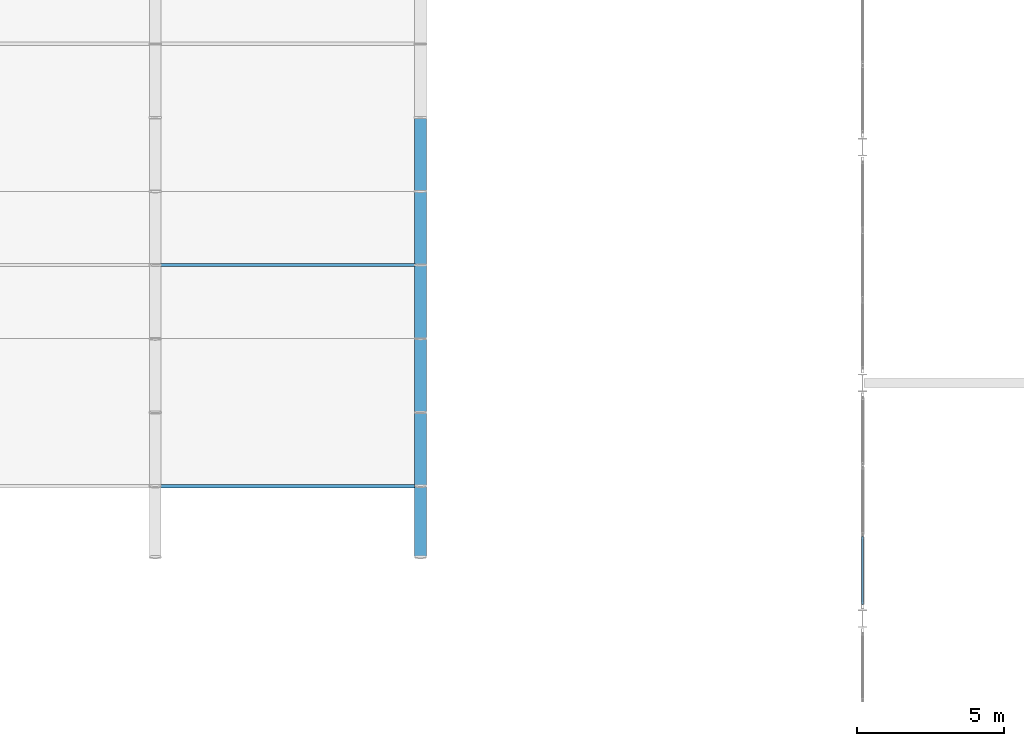
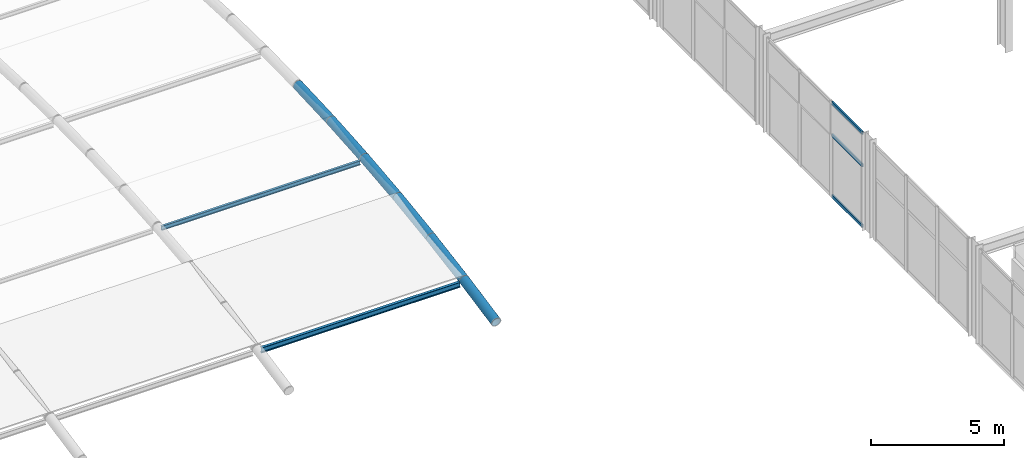
# One storey, part 23 of 105: 11 members, 1 element without a shape of its own.
"""IFC4 building model written with IfcOpenShell, lengths in metres."""

from ifc_helpers import new_model, si_unit, direction, frame, origin, origin_2d, place, context, subcontext, project, spatial, hollow_rectangle, hollow_circle, i_section, extrude, material, layer, layer_set, material_profile, profile_set, type_object, element, aggregate, save


model = new_model("IFC4")

# Units and contexts
model_context = context("Model", 3, precision=1e-05, world=origin(), true_north=direction((0.0, 1.0)))
body_context = subcontext(model_context, "Body", "Model", "MODEL_VIEW")
ifc_project = project(units=[si_unit("LENGTHUNIT", "METRE"), si_unit("AREAUNIT", "SQUARE_METRE"), si_unit("VOLUMEUNIT", "CUBIC_METRE"), si_unit("PLANEANGLEUNIT", "RADIAN"), si_unit("MASSUNIT", "GRAM", prefix="KILO")], contexts=[model_context])

# Site, building, storey
site_placement = place(None, origin())
site = spatial("IfcSite", under=ifc_project, at=site_placement, CompositionType="ELEMENT")
building_placement = place(site_placement, origin())
building = spatial("IfcBuilding", under=site, at=building_placement, Name="Marlcrest Central Station", CompositionType="ELEMENT")
storey_placement = place(building_placement, frame((0.0, 0.0, 15.0)))
storey = spatial("IfcBuildingStorey", under=building, at=storey_placement, Name="L03", CompositionType="ELEMENT", Elevation=15.0)

# Members
ifc_material_1 = material(Name="Steel S355", Category="steel")
ifc_material_profile_1 = material_profile(ifc_material_1, hollow_circle(Radius=0.203125, WallThickness=0.02001953125, at=origin_2d()), Name="CHS 406.4x20")
ifc_profile_set_1 = profile_set([ifc_material_profile_1], Name="Steel S355")
member_type_1 = type_object("IfcMemberType", Name="AC-01", PredefinedType="CHORD", material=ifc_profile_set_1)
member_1_placement = place(storey_placement, frame((72.0, 48.580078125, -0.0830078125), z_axis=(0.0, 0.980359417961, 0.197219196874), x_axis=(-1.0, 0.0, 0.0)))
element("IfcMember", 1, at=member_1_placement, inside=storey, type_object=member_type_1, Name="mem-AC-01-L03-01011", PredefinedType="CHORD", context=body_context, shape_type="SweptSolid", body=[
    extrude(hollow_circle(Radius=0.203125, WallThickness=0.02001953125, at=origin_2d()), origin(), (0.0, 0.0, 1.0), 2.468505859375),
])
member_2_placement = place(storey_placement, frame((72.0, 51.0, 0.40380859375), z_axis=(0.0, 0.98574109921, 0.168269086076), x_axis=(-1.0, 0.0, 0.0)))
element("IfcMember", 2, at=member_2_placement, inside=storey, type_object=member_type_1, Name="mem-AC-01-L03-01015", PredefinedType="CHORD", context=body_context, shape_type="SweptSolid", body=[
    extrude(hollow_circle(Radius=0.203125, WallThickness=0.02001953125, at=origin_2d()), origin(), (0.0, 0.0, 1.0), 2.5361328125),
])
member_3_placement = place(storey_placement, frame((72.0, 53.5, 0.83056640625), z_axis=(0.0, 0.990402740232, 0.138211476152), x_axis=(-1.0, 0.0, 0.0)))
element("IfcMember", 3, at=member_3_placement, inside=storey, type_object=member_type_1, Name="mem-AC-01-L03-01019", PredefinedType="CHORD", context=body_context, shape_type="SweptSolid", body=[
    extrude(hollow_circle(Radius=0.203125, WallThickness=0.02001953125, at=origin_2d()), origin(), (0.0, 0.0, 1.0), 2.524169921875),
])
member_4_placement = place(storey_placement, frame((72.0, 56.0, 1.179443359375), z_axis=(0.0, 0.994155341034, 0.107959056565), x_axis=(-1.0, 0.0, 0.0)))
element("IfcMember", 4, at=member_4_placement, inside=storey, type_object=member_type_1, Name="mem-AC-01-L03-01023", PredefinedType="CHORD", context=body_context, shape_type="SweptSolid", body=[
    extrude(hollow_circle(Radius=0.203125, WallThickness=0.02001953125, at=origin_2d()), origin(), (0.0, 0.0, 1.0), 2.5146484375),
])
member_5_placement = place(storey_placement, frame((72.0, 58.5, 1.450927734375), z_axis=(0.0, 0.996999825732, 0.077403795064), x_axis=(-1.0, 0.0, 0.0)))
element("IfcMember", 5, at=member_5_placement, inside=storey, type_object=member_type_1, Name="mem-AC-01-L03-01027", PredefinedType="CHORD", context=body_context, shape_type="SweptSolid", body=[
    extrude(hollow_circle(Radius=0.203125, WallThickness=0.02001953125, at=origin_2d()), origin(), (0.0, 0.0, 1.0), 2.507568359375),
])
member_6_placement = place(storey_placement, frame((72.0, 61.0, 1.64501953125), z_axis=(0.0, 0.998921349185, 0.046434234591), x_axis=(-1.0, 0.0, 0.0)))
element("IfcMember", 6, at=member_6_placement, inside=storey, type_object=member_type_1, Name="mem-AC-01-L03-01031", PredefinedType="CHORD", context=body_context, shape_type="SweptSolid", body=[
    extrude(hollow_circle(Radius=0.203125, WallThickness=0.02001953125, at=origin_2d()), origin(), (0.0, 0.0, 1.0), 2.502685546875),
])
ifc_material_profile_2 = material_profile(ifc_material_1, i_section(OverallWidth=0.10009765625, OverallDepth=0.199951171875, WebThickness=0.005615234375, FlangeThickness=0.008544921875, FilletRadius=0.011962890625, at=origin_2d()), Name="IPE 200")
ifc_profile_set_2 = profile_set([ifc_material_profile_2], Name="Steel S355")
member_type_2 = type_object("IfcMemberType", Name="PR-01", PredefinedType="PURLIN", material=ifc_profile_set_2)
member_7_placement = place(storey_placement, frame((63.179931640625, 58.5, 1.31103515625), z_axis=(1.0, 0.0, 0.0), x_axis=(0.0, 1.0, 0.0)))
element("IfcMember", 7, at=member_7_placement, inside=storey, type_object=member_type_2, Name="mem-PR-01-L03-00980", PredefinedType="PURLIN", context=body_context, shape_type="SweptSolid", body=[
    extrude(i_section(OverallWidth=0.10009765625, OverallDepth=0.199951171875, WebThickness=0.005615234375, FlangeThickness=0.008544921875, FilletRadius=0.011962890625, at=origin_2d()), origin(), (0.0, 0.0, 1.0), 8.64013671875),
])
ifc_material_profile_3 = material_profile(ifc_material_1, i_section(OverallWidth=0.1201171875, OverallDepth=0.239990234375, WebThickness=0.006103515625, FlangeThickness=0.009765625, FilletRadius=0.014892578125, at=origin_2d()), Name="IPE 240")
ifc_profile_set_3 = profile_set([ifc_material_profile_3], Name="Steel S355")
member_type_3 = type_object("IfcMemberType", Name="PR-02", PredefinedType="PURLIN", material=ifc_profile_set_3)
member_8_placement = place(storey_placement, frame((63.179931640625, 51.0, 0.263916015625), z_axis=(1.0, 0.0, 0.0), x_axis=(0.0, 1.0, 0.0)))
element("IfcMember", 8, at=member_8_placement, inside=storey, type_object=member_type_3, Name="mem-PR-02-L03-00979", PredefinedType="PURLIN", context=body_context, shape_type="SweptSolid", body=[
    extrude(i_section(OverallWidth=0.1201171875, OverallDepth=0.239990234375, WebThickness=0.006103515625, FlangeThickness=0.009765625, FilletRadius=0.014892578125, at=origin_2d()), origin(), (0.0, 0.0, 1.0), 8.64013671875),
])

# Curtain wall, members
ifc_material_2 = material(Name="Anodised aluminium and hurricane laminated glass", Category="aluminium")
ifc_layer = layer(ifc_material_2, 0.219970703125, Name="CW-U1")
ifc_layer_set = layer_set([ifc_layer], Name="Anodised aluminium and hurricane laminated glass")
curtain_wall_type = type_object("IfcCurtainWallType", Name="CW-U1", PredefinedType="USERDEFINED", material=ifc_layer_set)
curtain_wall_placement = place(storey_placement, origin())
curtain_wall = element("IfcCurtainWall", 9, at=curtain_wall_placement, inside=storey, type_object=curtain_wall_type, Name="cw-L03-0113", ObjectType="UNITISED_CURTAIN_WALL", PredefinedType="USERDEFINED")
ifc_material_3 = material(Name="Anodised aluminium 6063-T6", Category="aluminium")
ifc_material_profile_4 = material_profile(ifc_material_3, hollow_rectangle(XDim=0.06005859375, YDim=0.14990234375, WallThickness=0.00390625, at=origin_2d()), Name="AA-RHS 150x60x4")
ifc_profile_set_4 = profile_set([ifc_material_profile_4], Name="Anodised aluminium 6063-T6")
member_type_4 = type_object("IfcMemberType", Name="TR-01", PredefinedType="USERDEFINED", material=ifc_profile_set_4)
member_9_placement = place(storey_placement, frame((87.0, 46.988037109375, 0.0400390625), z_axis=(0.0, 1.0, 0.0), x_axis=(-1.0, 0.0, 0.0)))
member_9 = element("IfcMember", 10, at=member_9_placement, type_object=member_type_4, Name="cw-L03-0113-tr-0-sill", ObjectType="TRANSOM", PredefinedType="USERDEFINED", context=body_context, shape_type="SweptSolid", body=[
    extrude(hollow_rectangle(XDim=0.06005859375, YDim=0.14990234375, WallThickness=0.00390625, at=origin_2d()), origin(), (0.0, 0.0, 1.0), 2.290771484375),
])
member_10_placement = place(storey_placement, frame((87.0, 46.988037109375, 2.827880859375), z_axis=(0.0, 1.0, 0.0), x_axis=(-1.0, 0.0, 0.0)))
member_10 = element("IfcMember", 11, at=member_10_placement, type_object=member_type_4, Name="cw-L03-0113-tr-0-mid", ObjectType="TRANSOM", PredefinedType="USERDEFINED", context=body_context, shape_type="SweptSolid", body=[
    extrude(hollow_rectangle(XDim=0.06005859375, YDim=0.14990234375, WallThickness=0.00390625, at=origin_2d()), origin(), (0.0, 0.0, 1.0), 2.290771484375),
])
member_11_placement = place(storey_placement, frame((87.0, 46.988037109375, 4.31005859375), z_axis=(0.0, 1.0, 0.0), x_axis=(-1.0, 0.0, 0.0)))
member_11 = element("IfcMember", 12, at=member_11_placement, type_object=member_type_4, Name="cw-L03-0113-tr-0-head", ObjectType="TRANSOM", PredefinedType="USERDEFINED", context=body_context, shape_type="SweptSolid", body=[
    extrude(hollow_rectangle(XDim=0.06005859375, YDim=0.14990234375, WallThickness=0.00390625, at=origin_2d()), origin(), (0.0, 0.0, 1.0), 2.290771484375),
])
aggregate(curtain_wall, [member_9, member_10, member_11])

save(model, "model.ifc")
